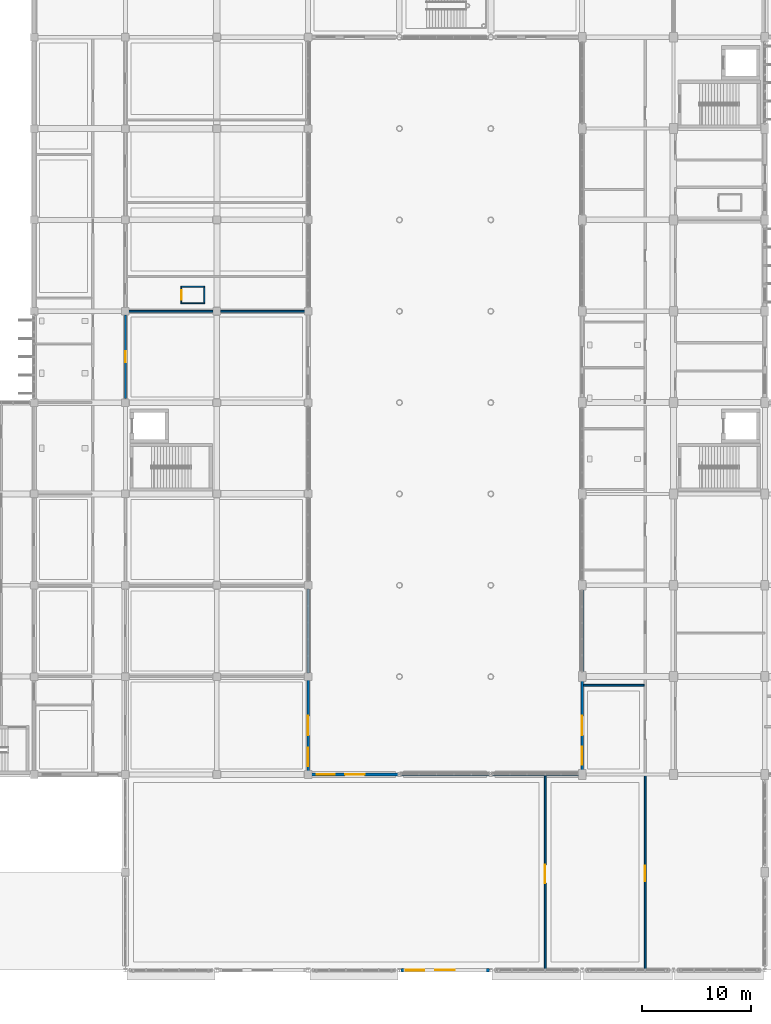
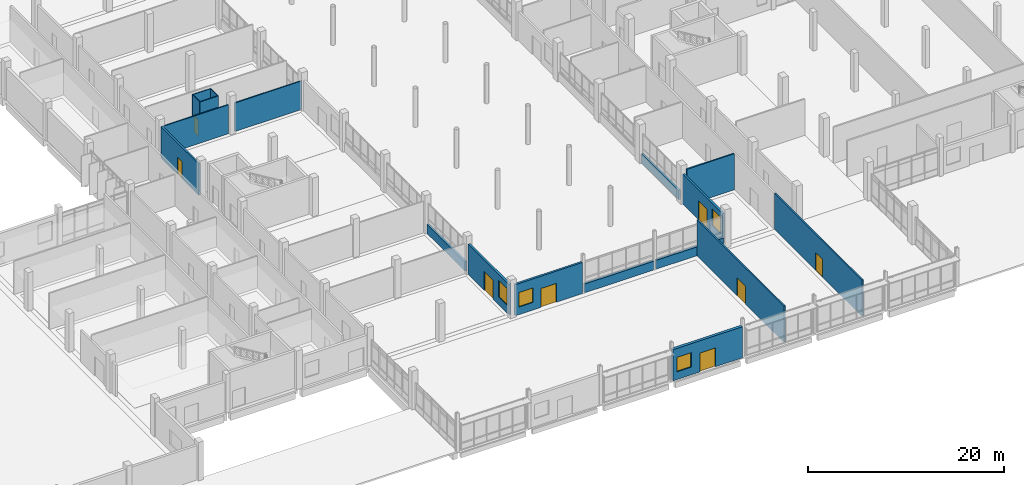
# One storey, part 76 of 95: 18 walls, 8 doors, 4 windows, 12 openings.
"""IFC4 building model written with IfcOpenShell, lengths in metres."""

from ifc_helpers import new_model, si_unit, direction, frame, frame_2d, origin, place, context, subcontext, project, spatial, rectangle, extrude, material, layer, layer_set, type_object, element, fill, save


model = new_model("IFC4")

# Units and contexts
model_context = context("Model", 3, precision=1e-05, world=origin(), true_north=direction((0.0, 1.0)))
body_context = subcontext(model_context, "Body", "Model", "MODEL_VIEW")
ifc_project = project(units=[si_unit("LENGTHUNIT", "METRE"), si_unit("AREAUNIT", "SQUARE_METRE"), si_unit("VOLUMEUNIT", "CUBIC_METRE"), si_unit("PLANEANGLEUNIT", "RADIAN"), si_unit("MASSUNIT", "GRAM", prefix="KILO")], contexts=[model_context])

# Site, building, storey
site_placement = place(None, origin())
site = spatial("IfcSite", under=ifc_project, at=site_placement, CompositionType="ELEMENT")
building_placement = place(site_placement, origin())
building = spatial("IfcBuilding", under=site, at=building_placement, Name="Vireocrest Preparatory School", CompositionType="ELEMENT")
storey_placement = place(building_placement, origin())
storey = spatial("IfcBuildingStorey", under=building, at=storey_placement, Name="L00", CompositionType="ELEMENT", Elevation=0.0)

# Walls
ifc_material_1 = material(Name="Gypsum board on cold-formed steel studs", Category="steel")
ifc_layer_1 = layer(ifc_material_1, 0.139892578125)
ifc_layer_set_1 = layer_set([ifc_layer_1], Name="Gypsum board on cold-formed steel studs")
wall_type_1 = type_object("IfcWallType", Name="Classroom Acoustic Partition Wall 140", PredefinedType="PARTITIONING", material=ifc_layer_set_1)
wall_1_placement = place(storey_placement, frame((50.5048828125, 60.60009765625, 0.0), z_axis=(0.0, 0.0, 1.0), x_axis=(1.0, 0.0, 0.0)))
element("IfcWall", 1, at=wall_1_placement, inside=storey, type_object=wall_type_1, Name="Interior Partition W03 IW_L00_0058", PredefinedType="PARTITIONING", context=body_context, shape_type="SweptSolid", body=[
    extrude(rectangle(XDim=7.93505859375, YDim=0.139892578125, at=frame_2d((3.967529296875, 0.0))), origin(), (0.0, 0.0, 1.0), 3.610107421875),
])
wall_2_placement = place(storey_placement, frame((59.159912109375, 60.60009765625, 0.0), z_axis=(0.0, 0.0, 1.0), x_axis=(1.0, 0.0, 0.0)))
element("IfcWall", 2, at=wall_2_placement, inside=storey, type_object=wall_type_1, Name="Interior Partition W03 IW_L00_0059", PredefinedType="PARTITIONING", context=body_context, shape_type="SweptSolid", body=[
    extrude(rectangle(XDim=7.9150390625, YDim=0.139892578125, at=frame_2d((3.95751953125, 0.0))), origin(), (0.0, 0.0, 1.0), 3.56005859375),
])

# Wall, opening, door
ifc_layer_2 = layer(ifc_material_1, 0.199951171875)
ifc_layer_set_2 = layer_set([ifc_layer_2], Name="Gypsum board on cold-formed steel studs")
wall_type_2 = type_object("IfcWallType", Name="Corridor One-Hour Fire Partition 200", PredefinedType="PARTITIONING", material=ifc_layer_set_2)
wall_3_placement = place(storey_placement, frame((50.39990234375, 52.56005859375, 0.0), z_axis=(0.0, 0.0, 1.0), x_axis=(0.0, 1.0, 0.0)))
wall_3 = element("IfcWall", 3, at=wall_3_placement, inside=storey, type_object=wall_type_2, Name="Interior Partition W06 IW_L00_0063", PredefinedType="PARTITIONING", context=body_context, shape_type="SweptSolid", body=[
    extrude(rectangle(XDim=7.679931640625, YDim=0.199951171875, at=frame_2d((3.83984375, 0.0))), origin(), (0.0, 0.0, 1.0), 3.909912109375),
])
opening_1_placement = place(wall_3_placement, frame((3.340087890625, 0.0, 0.0)))
opening_1 = element("IfcOpeningElement", 4, at=opening_1_placement, cuts=wall_3, Name="Opening D-L00-WAEN01", PredefinedType="OPENING", context=body_context, shape_type="SweptSolid", body=[
    extrude(rectangle(XDim=1.0, YDim=2.14990234375, at=frame_2d((0.5, 1.074951171875))), frame((0.0, 0.10986328125, 0.0), z_axis=(0.0, -1.0, 0.0), x_axis=(1.0, 0.0, 0.0)), (0.0, 0.0, 1.0), 0.219970703125),
])
ifc_material_2 = material(Name="Solid-core architectural birch timber", Category="wood")
door_type_1 = type_object("IfcDoorType", Name="Classroom Acoustic Timber Door 1000x2150", OperationType="NOTDEFINED", PredefinedType="DOOR", material=ifc_material_2)
door_1_placement = place(opening_1_placement, origin())
door_1 = element("IfcDoor", 5, at=door_1_placement, inside=storey, type_object=door_type_1, Name="Interior Door D-L00-WAEN01", OperationType="SINGLE_SWING_RIGHT", OverallHeight=2.14990234375, OverallWidth=1.0, PredefinedType="DOOR", context=body_context, shape_type="SweptSolid", body=[
    extrude(rectangle(XDim=1.0, YDim=2.14990234375, at=frame_2d((0.5, 1.074951171875))), frame((0.0, 0.02490234375, 0.0), z_axis=(0.0, -1.0, 0.0), x_axis=(1.0, 0.0, 0.0)), (0.0, 0.0, 1.0), 0.050048828125),
])
fill(opening_1, door_1)

# Wall, openings, door, window
ifc_material_3 = material(Name="Precast white concrete 40 MPa", Category="concrete")
ifc_layer_3 = layer(ifc_material_3, 0.320068359375)
ifc_layer_set_3 = layer_set([ifc_layer_3], Name="Precast white concrete 40 MPa")
wall_type_3 = type_object("IfcWallType", Name="High-Tech Insulated Rainscreen External Wall 320", PredefinedType="SOLIDWALL", material=ifc_layer_set_3)
wall_4_placement = place(storey_placement, frame((75.7275390625, 0.0, 0.0), z_axis=(0.0, 0.0, 1.0), x_axis=(1.0, 0.0, 0.0)))
wall_4 = element("IfcWall", 6, at=wall_4_placement, inside=storey, type_object=wall_type_3, Name="External Wall W12 EW_L00_0110", PredefinedType="SOLIDWALL", context=body_context, shape_type="SweptSolid", body=[
    extrude(rectangle(XDim=8.14501953125, YDim=0.320068359375, at=frame_2d((4.072509765625, 0.0))), origin(), (0.0, 0.0, 1.0), 3.876953125),
])
opening_2_placement = place(wall_4_placement, frame((4.97265625, 0.0, 0.0), z_axis=(0.0, 0.0, 1.0), x_axis=(-1.0, 0.0, 0.0)))
opening_2 = element("IfcOpeningElement", 7, at=opening_2_placement, cuts=wall_4, Name="Opening E4", PredefinedType="OPENING", context=body_context, shape_type="SweptSolid", body=[
    extrude(rectangle(XDim=1.800048828125, YDim=2.35009765625, at=frame_2d((0.89990234375, 1.175048828125))), frame((0.0, 0.169921875, 0.0), z_axis=(0.0, -1.0, 0.0), x_axis=(1.0, 0.0, 0.0)), (0.0, 0.0, 1.0), 0.340087890625),
])
opening_3_placement = place(wall_4_placement, frame((0.449951171875, 0.0, 0.949951171875)))
opening_3 = element("IfcOpeningElement", 8, at=opening_3_placement, cuts=wall_4, Name="Opening WN05", PredefinedType="OPENING", context=body_context, shape_type="SweptSolid", body=[
    extrude(rectangle(XDim=1.679931640625, YDim=1.800048828125, at=frame_2d((0.83984375, 0.89990234375))), frame((0.0, 0.169921875, 0.0), z_axis=(0.0, -1.0, 0.0), x_axis=(1.0, 0.0, 0.0)), (0.0, 0.0, 1.0), 0.340087890625),
])
ifc_material_4 = material(Name="Thermally broken glazed aluminium", Category="aluminium")
door_type_2 = type_object("IfcDoorType", Name="Campus Final Exit Double Door 1800x2350", OperationType="DOUBLE_DOOR_SINGLE_SWING", PredefinedType="DOOR", material=ifc_material_4)
door_2_placement = place(opening_2_placement, origin())
door_2 = element("IfcDoor", 9, at=door_2_placement, inside=storey, type_object=door_type_2, Name="Final Exit E4 Dining South Centre", OperationType="DOUBLE_DOOR_SINGLE_SWING", OverallHeight=2.35009765625, OverallWidth=1.800048828125, PredefinedType="DOOR", context=body_context, shape_type="SweptSolid", body=[
    extrude(rectangle(XDim=1.800048828125, YDim=2.35009765625, at=frame_2d((0.89990234375, 1.175048828125))), frame((0.0, 0.02490234375, 0.0), z_axis=(0.0, -1.0, 0.0), x_axis=(1.0, 0.0, 0.0)), (0.0, 0.0, 1.0), 0.050048828125),
])
fill(opening_2, door_2)
ifc_material_5 = material(Name="Thermally broken aluminium EN AW-6063-T6", Category="aluminium")
window_type_1 = type_object("IfcWindowType", Name="Module Classroom Window 1680x1800", PartitioningType="SINGLE_PANEL", PredefinedType="WINDOW", material=ifc_material_5)
window_1_placement = place(opening_3_placement, origin())
window_1 = element("IfcWindow", 10, at=window_1_placement, inside=storey, type_object=window_type_1, Name="Window W-L00-029 (WN05)", OverallHeight=1.800048828125, OverallWidth=1.679931640625, PartitioningType="SINGLE_PANEL", PredefinedType="WINDOW", context=body_context, shape_type="SweptSolid", body=[
    extrude(rectangle(XDim=1.679931640625, YDim=1.800048828125, at=frame_2d((0.83984375, 0.89990234375))), frame((0.0, 0.030029296875, 0.0), z_axis=(0.0, -1.0, 0.0), x_axis=(1.0, 0.0, 0.0)), (0.0, 0.0, 1.0), 0.06005859375),
])
fill(opening_3, window_1)

# Wall
ifc_layer_4 = layer(ifc_material_1, 0.159912109375)
ifc_layer_set_4 = layer_set([ifc_layer_4], Name="Gypsum board on cold-formed steel studs")
wall_type_4 = type_object("IfcWallType", Name="Laboratory Wet-Service Partition Wall 160", PredefinedType="PARTITIONING", material=ifc_layer_set_4)
wall_5_placement = place(storey_placement, frame((92.52490234375, 26.199951171875, 0.0), z_axis=(0.0, 0.0, 1.0), x_axis=(1.0, 0.0, 0.0)))
element("IfcWall", 11, at=wall_5_placement, inside=storey, type_object=wall_type_4, Name="Interior Partition W04 IW_L00_0090", PredefinedType="PARTITIONING", context=body_context, shape_type="SweptSolid", body=[
    extrude(rectangle(XDim=5.570068359375, YDim=0.159912109375, at=frame_2d((2.78515625, 0.0))), origin(), (0.0, 0.0, 1.0), 4.5),
])

# Wall, opening, door
wall_6_placement = place(storey_placement, frame((89.0, 0.117431640625, 0.0), z_axis=(0.0, 0.0, 1.0), x_axis=(0.0, 1.0, 0.0)))
wall_6 = element("IfcWall", 12, at=wall_6_placement, inside=storey, type_object=wall_type_4, Name="Interior Partition W04 IW_L00_0119", PredefinedType="PARTITIONING", context=body_context, shape_type="SweptSolid", body=[
    extrude(rectangle(XDim=17.757568359375, YDim=0.159912109375, at=frame_2d((8.87890625, 0.0))), origin(), (0.0, 0.0, 1.0), 4.5),
])
opening_4_placement = place(wall_6_placement, frame((7.882568359375, 0.0, 0.0)))
opening_4 = element("IfcOpeningElement", 13, at=opening_4_placement, cuts=wall_6, Name="Opening D-L00-DN1", PredefinedType="OPENING", context=body_context, shape_type="SweptSolid", body=[
    extrude(rectangle(XDim=1.699951171875, YDim=2.25, at=frame_2d((0.85009765625, 1.125))), frame((0.0, 0.08984375, 0.0), z_axis=(0.0, -1.0, 0.0), x_axis=(1.0, 0.0, 0.0)), (0.0, 0.0, 1.0), 0.179931640625),
])
ifc_material_6 = material(Name="Painted galvanized hollow steel", Category="steel")
door_type_3 = type_object("IfcDoorType", Name="Corridor Cross-Fire Double Door 1700x2250", OperationType="DOUBLE_DOOR_SINGLE_SWING", PredefinedType="DOOR", material=ifc_material_6)
door_3_placement = place(opening_4_placement, origin())
door_3 = element("IfcDoor", 14, at=door_3_placement, inside=storey, type_object=door_type_3, Name="Interior Door D-L00-DN1", OperationType="DOUBLE_DOOR_SINGLE_SWING", OverallHeight=2.25, OverallWidth=1.699951171875, PredefinedType="DOOR", context=body_context, shape_type="SweptSolid", body=[
    extrude(rectangle(XDim=1.699951171875, YDim=2.25, at=frame_2d((0.85009765625, 1.125))), frame((0.0, 0.02490234375, 0.0), z_axis=(0.0, -1.0, 0.0), x_axis=(1.0, 0.0, 0.0)), (0.0, 0.0, 1.0), 0.050048828125),
])
fill(opening_4, door_3)

wall_7_placement = place(storey_placement, frame((98.199951171875, 0.117431640625, 0.0), z_axis=(0.0, 0.0, 1.0), x_axis=(0.0, 1.0, 0.0)))
wall_7 = element("IfcWall", 15, at=wall_7_placement, inside=storey, type_object=wall_type_4, Name="Interior Partition W04 IW_L00_0120", PredefinedType="PARTITIONING", context=body_context, shape_type="SweptSolid", body=[
    extrude(rectangle(XDim=17.87255859375, YDim=0.159912109375, at=frame_2d((8.936279296875, 0.0))), origin(), (0.0, 0.0, 1.0), 4.5),
])
opening_5_placement = place(wall_7_placement, frame((8.08251953125, 0.0, 0.0)))
opening_5 = element("IfcOpeningElement", 16, at=opening_5_placement, cuts=wall_7, Name="Opening D-L00-DN2", PredefinedType="OPENING", context=body_context, shape_type="SweptSolid", body=[
    extrude(rectangle(XDim=1.39990234375, YDim=2.199951171875, at=frame_2d((0.699951171875, 1.10009765625))), frame((0.0, 0.08984375, 0.0), z_axis=(0.0, -1.0, 0.0), x_axis=(1.0, 0.0, 0.0)), (0.0, 0.0, 1.0), 0.179931640625),
])
door_type_4 = type_object("IfcDoorType", Name="Lab Equipment Unequal Pair Door 1400x2200", OperationType="DOUBLE_DOOR_SINGLE_SWING", PredefinedType="DOOR", material=ifc_material_6)
door_4_placement = place(opening_5_placement, origin())
door_4 = element("IfcDoor", 17, at=door_4_placement, inside=storey, type_object=door_type_4, Name="Interior Door D-L00-DN2", OperationType="DOUBLE_DOOR_SINGLE_SWING", OverallHeight=2.199951171875, OverallWidth=1.39990234375, PredefinedType="DOOR", context=body_context, shape_type="SweptSolid", body=[
    extrude(rectangle(XDim=1.39990234375, YDim=2.199951171875, at=frame_2d((0.699951171875, 1.10009765625))), frame((0.0, 0.02490234375, 0.0), z_axis=(0.0, -1.0, 0.0), x_axis=(1.0, 0.0, 0.0)), (0.0, 0.0, 1.0), 0.050048828125),
])
fill(opening_5, door_4)

# Walls
ifc_layer_5 = layer(ifc_material_1, 0.10009765625)
ifc_layer_set_5 = layer_set([ifc_layer_5], Name="Gypsum board on cold-formed steel studs")
wall_type_5 = type_object("IfcWallType", Name="Riser Shaft Lining Wall 100", PredefinedType="PARTITIONING", material=ifc_layer_set_5)
for number, where, z_axis, x_axis, name in (
    (18, (55.5, 61.35009765625, 0.0), (0.0, 0.0, 1.0), (1.0, 0.0, 0.0), "MEP Riser Shaft Wall W01 WEST_MEP-L00-S"),
    (19, (55.5, 62.85009765625, 0.0), (0.0, 0.0, 1.0), (1.0, 0.0, 0.0), "MEP Riser Shaft Wall W01 WEST_MEP-L00-N"),
):
    element("IfcWall", number, at=place(storey_placement, frame(where, z_axis=z_axis, x_axis=x_axis)), inside=storey, type_object=wall_type_5, Name=name, PredefinedType="PARTITIONING", context=body_context, shape_type="SweptSolid", body=[
        extrude(rectangle(XDim=2.199951171875, YDim=0.10009765625, at=frame_2d((1.10009765625, 0.0))), origin(), (0.0, 0.0, 1.0), 4.5),
    ])

# Wall, opening, door
wall_8_placement = place(storey_placement, frame((55.550048828125, 61.39990234375, 0.0), z_axis=(0.0, 0.0, 1.0), x_axis=(0.0, 1.0, 0.0)))
wall_8 = element("IfcWall", 20, at=wall_8_placement, inside=storey, type_object=wall_type_5, Name="MEP Riser Shaft Wall W01 WEST_MEP-L00-W", PredefinedType="PARTITIONING", context=body_context, shape_type="SweptSolid", body=[
    extrude(rectangle(XDim=1.400146484375, YDim=0.10009765625, at=frame_2d((0.7001953125, 0.0))), origin(), (0.0, 0.0, 1.0), 4.5),
])
opening_6_placement = place(wall_8_placement, frame((0.27490234375, 0.0, 0.0)))
opening_6 = element("IfcOpeningElement", 21, at=opening_6_placement, cuts=wall_8, Name="Opening D-L00-RSW", PredefinedType="OPENING", context=body_context, shape_type="SweptSolid", body=[
    extrude(rectangle(XDim=0.85009765625, YDim=2.050048828125, at=frame_2d((0.425048828125, 1.02490234375))), frame((0.0, 0.06005859375, 0.0), z_axis=(0.0, -1.0, 0.0), x_axis=(1.0, 0.0, 0.0)), (0.0, 0.0, 1.0), 0.1201171875),
])
door_type_5 = type_object("IfcDoorType", Name="Riser Access Steel Door 850x2050", OperationType="NOTDEFINED", PredefinedType="DOOR", material=ifc_material_6)
door_5_placement = place(opening_6_placement, origin())
door_5 = element("IfcDoor", 22, at=door_5_placement, inside=storey, type_object=door_type_5, Name="Riser Shaft Access Door D-L00-RSW", OperationType="SINGLE_SWING_LEFT", OverallHeight=2.050048828125, OverallWidth=0.85009765625, PredefinedType="DOOR", context=body_context, shape_type="SweptSolid", body=[
    extrude(rectangle(XDim=0.85009765625, YDim=2.050048828125, at=frame_2d((0.425048828125, 1.02490234375))), frame((0.0, 0.02490234375, 0.0), z_axis=(0.0, -1.0, 0.0), x_axis=(1.0, 0.0, 0.0)), (0.0, 0.0, 1.0), 0.050048828125),
])
fill(opening_6, door_5)

# Walls
wall_9_placement = place(storey_placement, frame((57.64990234375, 61.39990234375, 0.0), z_axis=(0.0, 0.0, 1.0), x_axis=(0.0, 1.0, 0.0)))
element("IfcWall", 23, at=wall_9_placement, inside=storey, type_object=wall_type_5, Name="MEP Riser Shaft Wall W01 WEST_MEP-L00-E", PredefinedType="PARTITIONING", context=body_context, shape_type="SweptSolid", body=[
    extrude(rectangle(XDim=1.400146484375, YDim=0.10009765625, at=frame_2d((0.7001953125, 0.0))), origin(), (0.0, 0.0, 1.0), 4.5),
])
ifc_layer_6 = layer(ifc_material_3, 0.239990234375)
ifc_layer_set_6 = layer_set([ifc_layer_6], Name="Precast white concrete 40 MPa")
wall_type_6 = type_object("IfcWallType", Name="White Precast Courtyard Spandrel Wall 240", PredefinedType="SOLIDWALL", material=ifc_layer_set_6)
wall_10_placement = place(storey_placement, frame((67.199951171875, 27.324951171875, 0.0), z_axis=(0.0, 0.0, 1.0), x_axis=(0.0, 1.0, 0.0)))
element("IfcWall", 24, at=wall_10_placement, inside=storey, type_object=wall_type_6, Name="External Wall W08 EW_L00_0114", PredefinedType="SOLIDWALL", context=body_context, shape_type="SweptSolid", body=[
    extrude(rectangle(XDim=7.75, YDim=0.239990234375, at=frame_2d((3.875, 0.0))), origin(), (0.0, 0.0, 1.0), 1.14990234375),
])

# Wall, openings, door, window
wall_11_placement = place(storey_placement, frame((92.39990234375, 18.425048828125, 0.0), z_axis=(0.0, 0.0, 1.0), x_axis=(0.0, 1.0, 0.0)))
wall_11 = element("IfcWall", 25, at=wall_11_placement, inside=storey, type_object=wall_type_6, Name="External Wall W08 EW_L00_0124", PredefinedType="SOLIDWALL", context=body_context, shape_type="SweptSolid", body=[
    extrude(rectangle(XDim=8.14990234375, YDim=0.239990234375, at=frame_2d((4.074951171875, 0.0))), origin(), (0.0, 0.0, 1.0), 3.719970703125),
])
opening_7_placement = place(wall_11_placement, frame((3.175048828125, 0.0, 0.0)))
opening_7 = element("IfcOpeningElement", 26, at=opening_7_placement, cuts=wall_11, Name="Opening EC3", PredefinedType="OPENING", context=body_context, shape_type="SweptSolid", body=[
    extrude(rectangle(XDim=1.800048828125, YDim=2.35009765625, at=frame_2d((0.89990234375, 1.175048828125))), frame((0.0, 0.1298828125, 0.0), z_axis=(0.0, -1.0, 0.0), x_axis=(1.0, 0.0, 0.0)), (0.0, 0.0, 1.0), 0.260009765625),
])
opening_8_placement = place(wall_11_placement, frame((0.449951171875, 0.0, 0.949951171875)))
opening_8 = element("IfcOpeningElement", 27, at=opening_8_placement, cuts=wall_11, Name="Opening WN06", PredefinedType="OPENING", context=body_context, shape_type="SweptSolid", body=[
    extrude(rectangle(XDim=1.679931640625, YDim=2.10009765625, at=frame_2d((0.83984375, 1.050048828125))), frame((0.0, 0.1298828125, 0.0), z_axis=(0.0, -1.0, 0.0), x_axis=(1.0, 0.0, 0.0)), (0.0, 0.0, 1.0), 0.260009765625),
])
door_6_placement = place(opening_7_placement, origin())
door_6 = element("IfcDoor", 28, at=door_6_placement, inside=storey, type_object=door_type_2, Name="Central Courtyard Exit EC3 Science Foyer", OperationType="DOUBLE_DOOR_SINGLE_SWING", OverallHeight=2.35009765625, OverallWidth=1.800048828125, PredefinedType="DOOR", context=body_context, shape_type="SweptSolid", body=[
    extrude(rectangle(XDim=1.800048828125, YDim=2.35009765625, at=frame_2d((0.89990234375, 1.175048828125))), frame((0.0, 0.02490234375, 0.0), z_axis=(0.0, -1.0, 0.0), x_axis=(1.0, 0.0, 0.0)), (0.0, 0.0, 1.0), 0.050048828125),
])
fill(opening_7, door_6)
window_type_2 = type_object("IfcWindowType", Name="Module Classroom Tall Window 1680x2100", PartitioningType="SINGLE_PANEL", PredefinedType="WINDOW", material=ifc_material_5)
window_2_placement = place(opening_8_placement, origin())
window_2 = element("IfcWindow", 29, at=window_2_placement, inside=storey, type_object=window_type_2, Name="Window W-L00-033 (WN06)", OverallHeight=2.10009765625, OverallWidth=1.679931640625, PartitioningType="SINGLE_PANEL", PredefinedType="WINDOW", context=body_context, shape_type="SweptSolid", body=[
    extrude(rectangle(XDim=1.679931640625, YDim=2.10009765625, at=frame_2d((0.83984375, 1.050048828125))), frame((0.0, 0.030029296875, 0.0), z_axis=(0.0, -1.0, 0.0), x_axis=(1.0, 0.0, 0.0)), (0.0, 0.0, 1.0), 0.06005859375),
])
fill(opening_8, window_2)

# Wall
wall_12_placement = place(storey_placement, frame((92.39990234375, 27.425048828125, 0.0), z_axis=(0.0, 0.0, 1.0), x_axis=(0.0, 1.0, 0.0)))
element("IfcWall", 30, at=wall_12_placement, inside=storey, type_object=wall_type_6, Name="External Wall W08 EW_L00_0125", PredefinedType="SOLIDWALL", context=body_context, shape_type="SweptSolid", body=[
    extrude(rectangle(XDim=7.550048828125, YDim=0.239990234375, at=frame_2d((3.77490234375, 0.0))), origin(), (0.0, 0.0, 1.0), 1.14990234375),
])

# Wall, openings, door, window
wall_13_placement = place(storey_placement, frame((67.52490234375, 18.0, 0.0), z_axis=(0.0, 0.0, 1.0), x_axis=(1.0, 0.0, 0.0)))
wall_13 = element("IfcWall", 31, at=wall_13_placement, inside=storey, type_object=wall_type_6, Name="External Wall W08 EW_L00_0132", PredefinedType="SOLIDWALL", context=body_context, shape_type="SweptSolid", body=[
    extrude(rectangle(XDim=7.94775390625, YDim=0.239990234375, at=frame_2d((3.973876953125, 0.0))), origin(), (0.0, 0.0, 1.0), 3.876953125),
])
opening_9_placement = place(wall_13_placement, frame((3.07373046875, 0.0, 0.0)))
opening_9 = element("IfcOpeningElement", 32, at=opening_9_placement, cuts=wall_13, Name="Opening EC7", PredefinedType="OPENING", context=body_context, shape_type="SweptSolid", body=[
    extrude(rectangle(XDim=1.800048828125, YDim=2.35009765625, at=frame_2d((0.89990234375, 1.175048828125))), frame((0.0, 0.1298828125, 0.0), z_axis=(0.0, -1.0, 0.0), x_axis=(1.0, 0.0, 0.0)), (0.0, 0.0, 1.0), 0.260009765625),
])
opening_10_placement = place(wall_13_placement, frame((0.449951171875, 0.0, 0.949951171875)))
opening_10 = element("IfcOpeningElement", 33, at=opening_10_placement, cuts=wall_13, Name="Opening WN05", PredefinedType="OPENING", context=body_context, shape_type="SweptSolid", body=[
    extrude(rectangle(XDim=1.679931640625, YDim=1.800048828125, at=frame_2d((0.83984375, 0.89990234375))), frame((0.0, 0.1298828125, 0.0), z_axis=(0.0, -1.0, 0.0), x_axis=(1.0, 0.0, 0.0)), (0.0, 0.0, 1.0), 0.260009765625),
])
door_7_placement = place(opening_9_placement, origin())
door_7 = element("IfcDoor", 34, at=door_7_placement, inside=storey, type_object=door_type_2, Name="Central Courtyard Exit EC7 Dining North", OperationType="DOUBLE_DOOR_SINGLE_SWING", OverallHeight=2.35009765625, OverallWidth=1.800048828125, PredefinedType="DOOR", context=body_context, shape_type="SweptSolid", body=[
    extrude(rectangle(XDim=1.800048828125, YDim=2.35009765625, at=frame_2d((0.89990234375, 1.175048828125))), frame((0.0, 0.02490234375, 0.0), z_axis=(0.0, -1.0, 0.0), x_axis=(1.0, 0.0, 0.0)), (0.0, 0.0, 1.0), 0.050048828125),
])
fill(opening_9, door_7)
window_3_placement = place(opening_10_placement, origin())
window_3 = element("IfcWindow", 35, at=window_3_placement, inside=storey, type_object=window_type_1, Name="Window W-L00-035 (WN05)", OverallHeight=1.800048828125, OverallWidth=1.679931640625, PartitioningType="SINGLE_PANEL", PredefinedType="WINDOW", context=body_context, shape_type="SweptSolid", body=[
    extrude(rectangle(XDim=1.679931640625, YDim=1.800048828125, at=frame_2d((0.83984375, 0.89990234375))), frame((0.0, 0.030029296875, 0.0), z_axis=(0.0, -1.0, 0.0), x_axis=(1.0, 0.0, 0.0)), (0.0, 0.0, 1.0), 0.06005859375),
])
fill(opening_10, window_3)

# Walls
wall_14_placement = place(storey_placement, frame((75.727294921875, 18.0, 0.0), z_axis=(0.0, 0.0, 1.0), x_axis=(1.0, 0.0, 0.0)))
element("IfcWall", 36, at=wall_14_placement, inside=storey, type_object=wall_type_6, Name="External Wall W08 EW_L00_0133", PredefinedType="SOLIDWALL", context=body_context, shape_type="SweptSolid", body=[
    extrude(rectangle(XDim=8.145263671875, YDim=0.239990234375, at=frame_2d((4.07275390625, 0.0))), origin(), (0.0, 0.0, 1.0), 1.10009765625),
])
wall_15_placement = place(storey_placement, frame((84.12744140625, 18.0, 0.0), z_axis=(0.0, 0.0, 1.0), x_axis=(1.0, 0.0, 0.0)))
element("IfcWall", 37, at=wall_15_placement, inside=storey, type_object=wall_type_6, Name="External Wall W08 EW_L00_0134", PredefinedType="SOLIDWALL", context=body_context, shape_type="SweptSolid", body=[
    extrude(rectangle(XDim=7.947509765625, YDim=0.239990234375, at=frame_2d((3.9736328125, 0.0))), origin(), (0.0, 0.0, 1.0), 1.10009765625),
])

# Wall, openings, door, window
wall_16_placement = place(storey_placement, frame((67.199951171875, 18.324951171875, 0.0), z_axis=(0.0, 0.0, 1.0), x_axis=(0.0, 1.0, 0.0)))
wall_16 = element("IfcWall", 38, at=wall_16_placement, inside=storey, type_object=wall_type_6, Name="External Wall W08 EW_L00_0135", PredefinedType="SOLIDWALL", context=body_context, shape_type="SweptSolid", body=[
    extrude(rectangle(XDim=8.35009765625, YDim=0.239990234375, at=frame_2d((4.175048828125, 0.0))), origin(), (0.0, 0.0, 1.0), 3.780029296875),
])
opening_11_placement = place(wall_16_placement, frame((5.074951171875, 0.0, 0.0), z_axis=(0.0, 0.0, 1.0), x_axis=(-1.0, 0.0, 0.0)))
opening_11 = element("IfcOpeningElement", 39, at=opening_11_placement, cuts=wall_16, Name="Opening EC1", PredefinedType="OPENING", context=body_context, shape_type="SweptSolid", body=[
    extrude(rectangle(XDim=1.800048828125, YDim=2.35009765625, at=frame_2d((0.89990234375, 1.175048828125))), frame((0.0, 0.1298828125, 0.0), z_axis=(0.0, -1.0, 0.0), x_axis=(1.0, 0.0, 0.0)), (0.0, 0.0, 1.0), 0.260009765625),
])
opening_12_placement = place(wall_16_placement, frame((0.449951171875, 0.0, 0.949951171875)))
opening_12 = element("IfcOpeningElement", 40, at=opening_12_placement, cuts=wall_16, Name="Opening WN06", PredefinedType="OPENING", context=body_context, shape_type="SweptSolid", body=[
    extrude(rectangle(XDim=1.679931640625, YDim=2.10009765625, at=frame_2d((0.83984375, 1.050048828125))), frame((0.0, 0.1298828125, 0.0), z_axis=(0.0, -1.0, 0.0), x_axis=(1.0, 0.0, 0.0)), (0.0, 0.0, 1.0), 0.260009765625),
])
door_8_placement = place(opening_11_placement, origin())
door_8 = element("IfcDoor", 41, at=door_8_placement, inside=storey, type_object=door_type_2, Name="Central Courtyard Exit EC1 West Foyer", OperationType="DOUBLE_DOOR_SINGLE_SWING", OverallHeight=2.35009765625, OverallWidth=1.800048828125, PredefinedType="DOOR", context=body_context, shape_type="SweptSolid", body=[
    extrude(rectangle(XDim=1.800048828125, YDim=2.35009765625, at=frame_2d((0.89990234375, 1.175048828125))), frame((0.0, 0.02490234375, 0.0), z_axis=(0.0, -1.0, 0.0), x_axis=(1.0, 0.0, 0.0)), (0.0, 0.0, 1.0), 0.050048828125),
])
fill(opening_11, door_8)
window_4_placement = place(opening_12_placement, origin())
window_4 = element("IfcWindow", 42, at=window_4_placement, inside=storey, type_object=window_type_2, Name="Window W-L00-036 (WN06)", OverallHeight=2.10009765625, OverallWidth=1.679931640625, PartitioningType="SINGLE_PANEL", PredefinedType="WINDOW", context=body_context, shape_type="SweptSolid", body=[
    extrude(rectangle(XDim=1.679931640625, YDim=2.10009765625, at=frame_2d((0.83984375, 1.050048828125))), frame((0.0, 0.030029296875, 0.0), z_axis=(0.0, -1.0, 0.0), x_axis=(1.0, 0.0, 0.0)), (0.0, 0.0, 1.0), 0.06005859375),
])
fill(opening_12, window_4)

save(model, "model.ifc")
